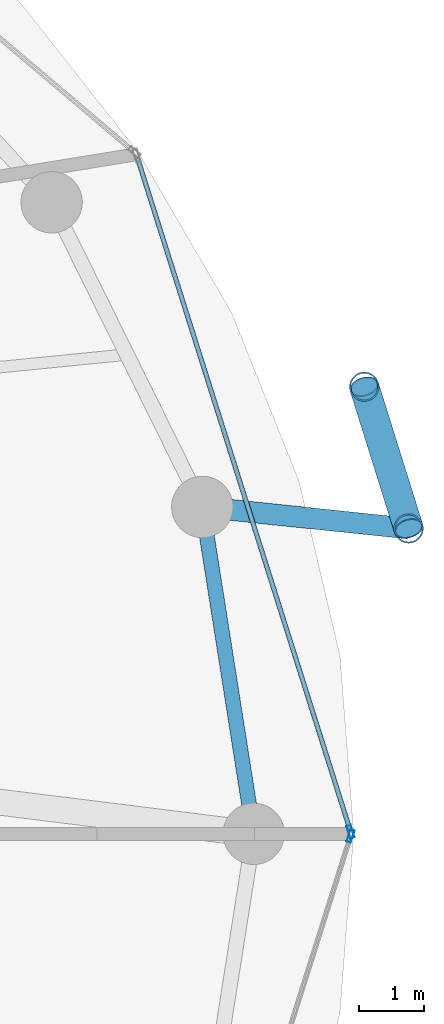
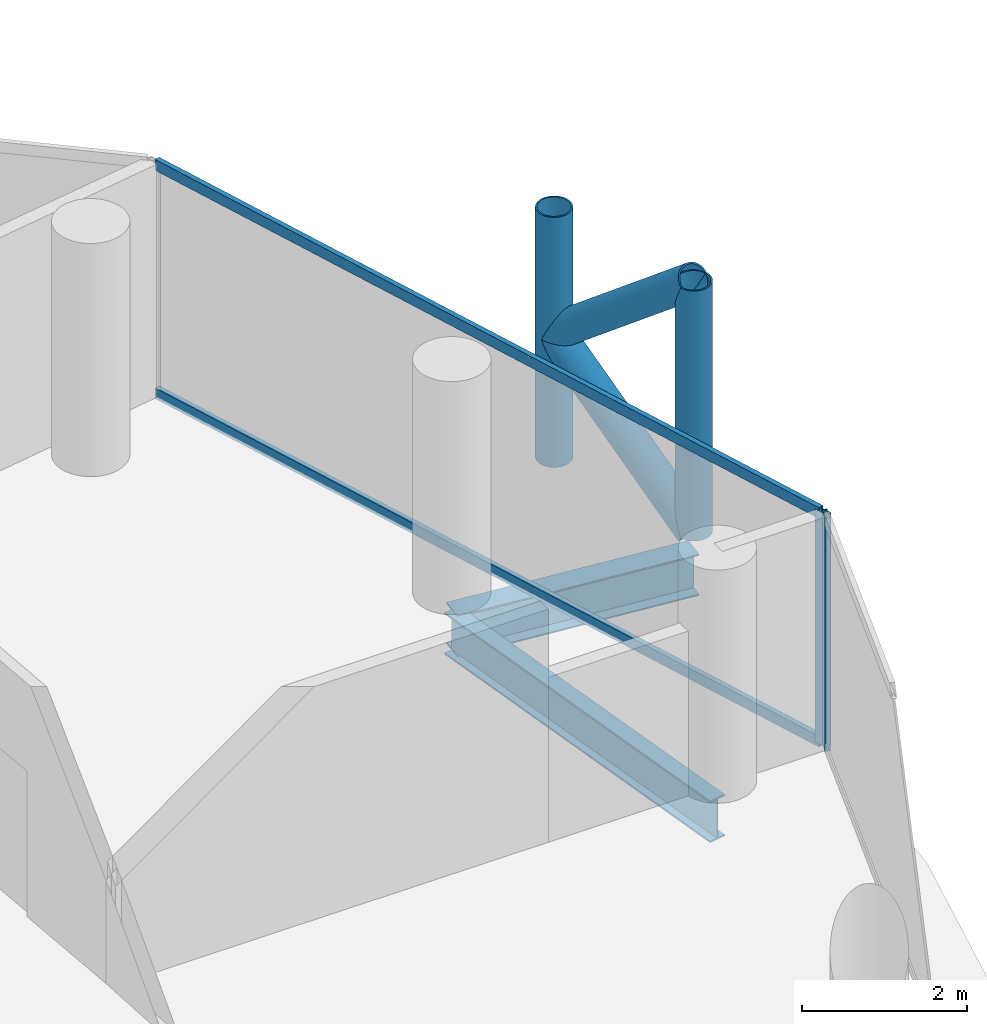
# One storey, part 12 of 26: 8 members, 2 beams, 2 elements without a shape of their own.
"""IFC4 building model written with IfcOpenShell, lengths in metres."""

from ifc_helpers import new_model, si_unit, direction, frame, origin, origin_2d, place, context, subcontext, project, spatial, hollow_rectangle, hollow_circle, i_section, extrude, material, layer, layer_set, material_profile, profile_set, type_object, element, aggregate, save


model = new_model("IFC4")

# Units and contexts
model_context = context("Model", 3, precision=1e-05, world=origin(), true_north=direction((0.0, 1.0)))
body_context = subcontext(model_context, "Body", "Model", "MODEL_VIEW")
ifc_project = project(units=[si_unit("LENGTHUNIT", "METRE"), si_unit("AREAUNIT", "SQUARE_METRE"), si_unit("VOLUMEUNIT", "CUBIC_METRE"), si_unit("PLANEANGLEUNIT", "RADIAN"), si_unit("MASSUNIT", "GRAM", prefix="KILO")], contexts=[model_context])

# Site, building, storey
site_placement = place(None, origin())
site = spatial("IfcSite", under=ifc_project, at=site_placement, CompositionType="ELEMENT")
building_placement = place(site_placement, origin())
building = spatial("IfcBuilding", under=site, at=building_placement, Name="Nuhasar Tower", CompositionType="ELEMENT")
storey_placement = place(building_placement, frame((0.0, 0.0, 184.85009765625)))
storey = spatial("IfcBuildingStorey", under=building, at=storey_placement, Name="L45", CompositionType="ELEMENT", Elevation=184.85009765625)

# Beams
ifc_material_1 = material(Name="Steel S355", Category="steel")
ifc_material_profile_1 = material_profile(ifc_material_1, i_section(OverallWidth=0.22998046875, OverallDepth=0.616943359375, WebThickness=0.01318359375, FlangeThickness=0.022216796875, at=origin_2d()), Name="W24X94")
ifc_profile_set_1 = profile_set([ifc_material_profile_1], Name="Steel S355")
beam_type_1 = type_object("IfcBeamType", Name="BM-RING-W24X94", PredefinedType="SPANDREL", material=ifc_profile_set_1)
beam_1_placement = place(storey_placement, frame((62.35009765625, 26.800048828125, -0.55908203125), z_axis=(-0.155426543608, 0.987847452566, 0.0), x_axis=(-0.987847452566, -0.155426543608, 0.0)))
element("IfcBeam", 1, at=beam_1_placement, inside=storey, type_object=beam_type_1, Name="L45 Perimeter Ring Spandrel 01", PredefinedType="SPANDREL", context=body_context, shape_type="SweptSolid", body=[
    extrude(i_section(OverallWidth=0.22998046875, OverallDepth=0.616943359375, WebThickness=0.01318359375, FlangeThickness=0.022216796875, at=origin_2d()), origin(), (0.0, 0.0, 1.0), 5.122314453125),
])
ifc_material_profile_2 = material_profile(ifc_material_1, i_section(OverallWidth=0.323974609375, OverallDepth=0.611083984375, WebThickness=0.0126953125, FlangeThickness=0.01904296875, at=origin_2d()), Name="W24X104")
ifc_profile_set_2 = profile_set([ifc_material_profile_2], Name="Steel S355")
beam_type_2 = type_object("IfcBeamType", Name="BM-TIE-W24X104", PredefinedType="BEAM", material=ifc_profile_set_2)
beam_2_placement = place(storey_placement, frame((61.553955078125, 31.860107421875, -0.55615234375), z_axis=(0.994569828715, -0.104071397654, 0.0), x_axis=(0.104071397654, 0.994569828715, 0.0)))
element("IfcBeam", 2, at=beam_2_placement, inside=storey, type_object=beam_type_2, Name="L45 Exoskeleton Node Tie Beam 01", PredefinedType="BEAM", context=body_context, shape_type="SweptSolid", body=[
    extrude(i_section(OverallWidth=0.323974609375, OverallDepth=0.611083984375, WebThickness=0.0126953125, FlangeThickness=0.01904296875, at=origin_2d()), origin(), (0.0, 0.0, 1.0), 3.21142578125),
])

# Curtain wall, member
ifc_material_2 = material(Name="Aluminium 6063-T6", Category="aluminium")
ifc_layer = layer(ifc_material_2, 0.199951171875)
ifc_layer_set = layer_set([ifc_layer], Name="Aluminium 6063-T6")
curtain_wall_type = type_object("IfcCurtainWallType", Name="CW-Z2-HTL", PredefinedType="NOTDEFINED", material=ifc_layer_set)
curtain_wall_1_placement = place(storey_placement, origin())
curtain_wall_1 = element("IfcCurtainWall", 3, at=curtain_wall_1_placement, inside=storey, type_object=curtain_wall_type, Name="L45 Unitised Curtain Wall 01", PredefinedType="NOTDEFINED")
ifc_material_profile_3 = material_profile(ifc_material_2, hollow_rectangle(XDim=0.070068359375, YDim=0.199951171875, WallThickness=0.0048828125, at=origin_2d()), Name="CWM-3")
ifc_profile_set_3 = profile_set([ifc_material_profile_3], Name="Aluminium 6063-T6")
member_type_1 = type_object("IfcMemberType", Name="CW-MUL-S3", PredefinedType="MULLION", material=ifc_profile_set_3)
member_1_placement = place(storey_placement, frame((63.849365234375, 26.833251953125, 0.0), z_axis=(0.0, 0.0, 1.0), x_axis=(-0.953433389233, -0.301603667577, 0.0)))
member_1 = element("IfcMember", 4, at=member_1_placement, type_object=member_type_1, Name="CW-Z2 mullion 1", PredefinedType="MULLION", context=body_context, shape_type="SweptSolid", body=[
    extrude(hollow_rectangle(XDim=0.070068359375, YDim=0.199951171875, WallThickness=0.0048828125, at=origin_2d()), origin(), (0.0, 0.0, 1.0), 3.449951171875),
])

curtain_wall_2_placement = place(storey_placement, origin())
curtain_wall_2 = element("IfcCurtainWall", 5, at=curtain_wall_2_placement, inside=storey, type_object=curtain_wall_type, Name="L45 Unitised Curtain Wall 12", PredefinedType="NOTDEFINED")
member_2_placement = place(storey_placement, frame((63.849365234375, 26.7666015625, 0.0), z_axis=(0.0, 0.0, 1.0), x_axis=(-0.953433389233, 0.301603667577, 0.0)))
member_2 = element("IfcMember", 6, at=member_2_placement, type_object=member_type_1, Name="CW-Z2 mullion 2", PredefinedType="MULLION", context=body_context, shape_type="SweptSolid", body=[
    extrude(hollow_rectangle(XDim=0.070068359375, YDim=0.199951171875, WallThickness=0.0048828125, at=origin_2d()), origin(), (0.0, 0.0, 1.0), 3.449951171875),
])
aggregate(curtain_wall_2, [member_2])

# Member
ifc_material_profile_4 = material_profile(ifc_material_2, hollow_rectangle(XDim=0.070068359375, YDim=0.159912109375, WallThickness=0.00439453125, at=origin_2d()), Name="CWT-3")
ifc_profile_set_4 = profile_set([ifc_material_profile_4], Name="Aluminium 6063-T6")
member_type_2 = type_object("IfcMemberType", Name="CW-TRN-S3", PredefinedType="USERDEFINED", material=ifc_profile_set_4)
member_3_placement = place(storey_placement, frame((63.8388671875, 26.86669921875, 0.034912109375), z_axis=(-0.301608163352, 0.953431967053, 0.0), x_axis=(-0.953431967053, -0.301608163352, 0.0)))
member_3 = element("IfcMember", 7, at=member_3_placement, type_object=member_type_2, Name="CW-Z2 transom 1.1", ObjectType="TRANSOM", PredefinedType="USERDEFINED", context=body_context, shape_type="SweptSolid", body=[
    extrude(hollow_rectangle(XDim=0.070068359375, YDim=0.159912109375, WallThickness=0.00439453125, at=origin_2d()), origin(), (0.0, 0.0, 1.0), 10.904296875),
])

member_4_placement = place(storey_placement, frame((63.8388671875, 26.86669921875, 3.414794921875), z_axis=(-0.301608163352, 0.953431967053, 0.0), x_axis=(-0.953431967053, -0.301608163352, 0.0)))
member_4 = element("IfcMember", 8, at=member_4_placement, type_object=member_type_2, Name="CW-Z2 transom 1.2", ObjectType="TRANSOM", PredefinedType="USERDEFINED", context=body_context, shape_type="SweptSolid", body=[
    extrude(hollow_rectangle(XDim=0.070068359375, YDim=0.159912109375, WallThickness=0.00439453125, at=origin_2d()), origin(), (0.0, 0.0, 1.0), 10.904296875),
])

aggregate(curtain_wall_1, [member_1, member_3, member_4])

# Members
ifc_material_3 = material(Name="Steel S460", Category="steel")
ifc_material_profile_5 = material_profile(ifc_material_3, hollow_circle(Radius=0.228515625, WallThickness=0.022216796875, at=origin_2d()), Name="HSS457X22.2")
ifc_profile_set_5 = profile_set([ifc_material_profile_5], Name="Steel S460")
member_type_3 = type_object("IfcMemberType", Name="EXO-BRONZE-457", PredefinedType="BRACE", material=ifc_profile_set_5)
for number, where, z_axis, x_axis, name in (
    (9, (64.748046875, 31.52587890625, 0.0), (0.0, 0.0, 1.0), (1.0, 0.0, 0.0), "L45 Exoskeleton Chord Column EC-01A"),
    (10, (64.06005859375, 33.720947265625, 0.0), (0.0, 0.0, 1.0), (1.0, 0.0, 0.0), "L45 Exoskeleton Chord Column EC-01B"),
):
    element("IfcMember", number, at=place(storey_placement, frame(where, z_axis=z_axis, x_axis=x_axis)), inside=storey, type_object=member_type_3, Name=name, PredefinedType="BRACE", context=body_context, shape_type="SweptSolid", body=[
        extrude(hollow_circle(Radius=0.228515625, WallThickness=0.022216796875, at=origin_2d()), origin(), (0.0, 0.0, 1.0), 3.699951171875),
    ])
member_5_placement = place(storey_placement, frame((64.748046875, 31.52587890625, 0.0), z_axis=(-0.233067628236, 0.74361641074, 0.626669062861), x_axis=(-0.954228474306, -0.29907861646, 0.0)))
element("IfcMember", 11, at=member_5_placement, inside=storey, type_object=member_type_3, Name="L45 Bronze Diagrid Brace W1-01", PredefinedType="BRACE", context=body_context, shape_type="SweptSolid", body=[
    extrude(hollow_circle(Radius=0.228515625, WallThickness=0.022216796875, at=origin_2d()), origin(), (0.0, 0.0, 1.0), 2.951904296875),
])
member_6_placement = place(storey_placement, frame((64.06005859375, 33.720947265625, 1.849853515625), z_axis=(0.233055548538, -0.743577869731, 0.626719285599), x_axis=(0.954228474306, 0.29907861646, 0.0)))
element("IfcMember", 12, at=member_6_placement, inside=storey, type_object=member_type_3, Name="L45 Bronze Diagrid Brace W2-01", PredefinedType="BRACE", context=body_context, shape_type="SweptSolid", body=[
    extrude(hollow_circle(Radius=0.228515625, WallThickness=0.022216796875, at=origin_2d()), origin(), (0.0, 0.0, 1.0), 2.9521484375),
])

save(model, "model.ifc")
